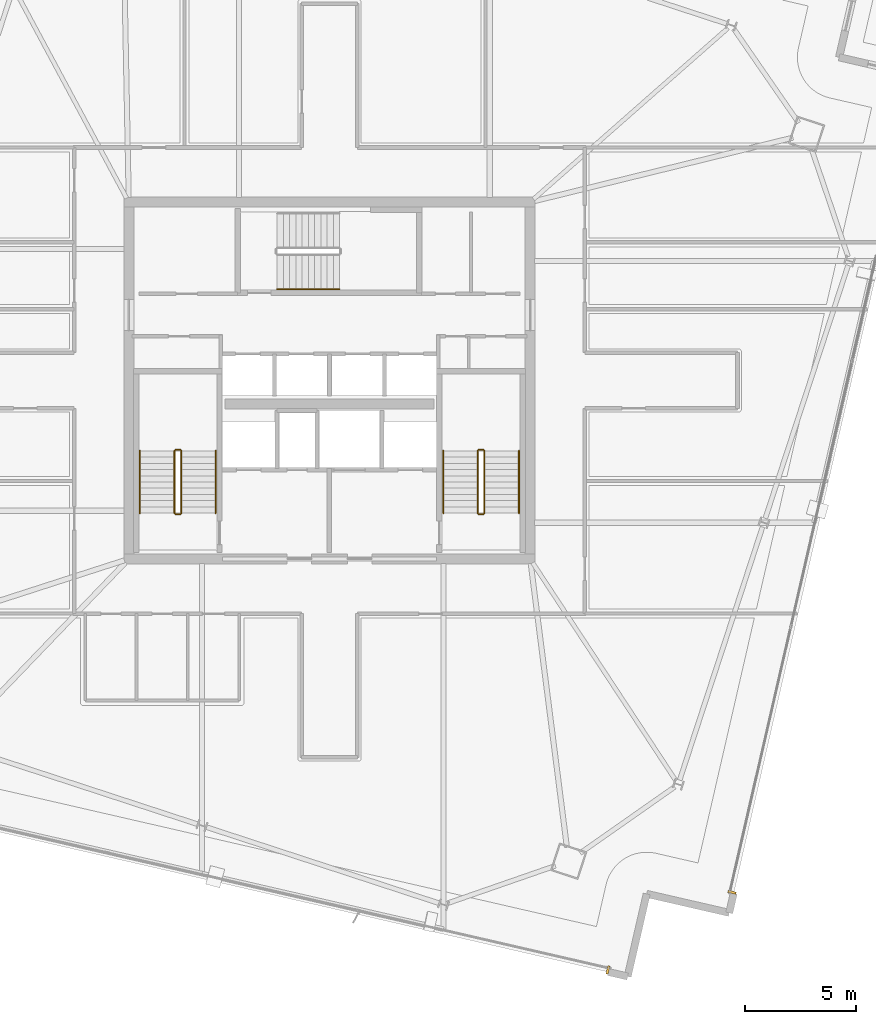
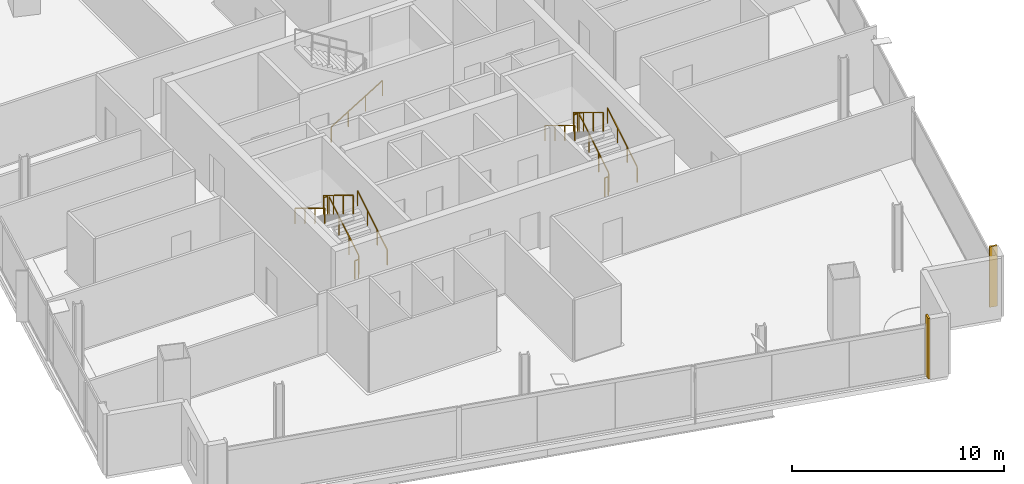
# One storey, part 25 of 28: 13 railings, 2 coverings.
"""IFC4 building model written with IfcOpenShell, lengths in metres."""

from ifc_helpers import new_model, si_unit, direction, frame, origin, origin_2d, place, context, subcontext, project, spatial, rectangle, extrude, source, transform, mapped, material, layer, layer_set, type_object, element, save


model = new_model("IFC4")

# Units and contexts
model_context = context("Model", 3, precision=1e-05, world=origin(), true_north=direction((0.0, 1.0)))
body_context = subcontext(model_context, "Body", "Model", "MODEL_VIEW")
ifc_project = project(units=[si_unit("LENGTHUNIT", "METRE"), si_unit("AREAUNIT", "SQUARE_METRE"), si_unit("VOLUMEUNIT", "CUBIC_METRE"), si_unit("PLANEANGLEUNIT", "RADIAN"), si_unit("MASSUNIT", "GRAM", prefix="KILO")], contexts=[model_context])

# Site, building, storey
site_placement = place(None, origin())
site = spatial("IfcSite", under=ifc_project, at=site_placement, CompositionType="ELEMENT")
building_placement = place(site_placement, origin())
building = spatial("IfcBuilding", under=site, at=building_placement, Name="Haldenkirk Collegiate Tower", CompositionType="ELEMENT")
storey_placement = place(building_placement, frame((0.0, 0.0, 286.199951171875)))
storey = spatial("IfcBuildingStorey", under=building, at=storey_placement, Name="L72", CompositionType="ELEMENT", Elevation=286.199951171875)

# Railings
ifc_material_1 = material(Name="Painted architectural tubular steel", Category="steel")
railing_type_1 = type_object("IfcRailingType", Name="RLG-STAIR-GUARD-1100", PredefinedType="BALUSTRADE", material=ifc_material_1)
railing_1_placement = place(storey_placement, frame((29.35009765625, 20.050048828125, 0.17041015625)))
element("IfcRailing", 1, at=railing_1_placement, inside=storey, type_object=railing_type_1, Name="L72 ST-1 stair guard 1", PredefinedType="BALUSTRADE", context=body_context, shape_type="SweptSolid", body=[
    extrude(rectangle(XDim=0.048095703125, YDim=0.048095703125, at=origin_2d()), frame((0.0, 0.0, 1.076171875), z_axis=(0.0, 0.854169791009, 0.51999420009), x_axis=(-1.0, 0.0, 0.0)), (0.0, 0.0, 1.0), 3.278076171875),
    extrude(rectangle(XDim=0.0419921875, YDim=0.0419921875, at=origin_2d()), origin(), (0.0, 0.0, 1.0), 1.052001953125),
    extrude(rectangle(XDim=0.0419921875, YDim=0.0419921875, at=origin_2d()), frame((0.0, 0.933349609375, 0.568115234375)), (0.0, 0.0, 1.0), 1.052001953125),
    extrude(rectangle(XDim=0.0419921875, YDim=0.0419921875, at=origin_2d()), frame((0.0, 1.86669921875, 1.136474609375)), (0.0, 0.0, 1.0), 1.052001953125),
    extrude(rectangle(XDim=0.0419921875, YDim=0.0419921875, at=origin_2d()), frame((0.0, 2.800048828125, 1.70458984375)), (0.0, 0.0, 1.0), 1.052001953125),
])
railing_2_placement = place(storey_placement, frame((29.300048828125, 22.89990234375, 1.875)))
element("IfcRailing", 2, at=railing_2_placement, inside=storey, type_object=railing_type_1, Name="L72 ST-1 stair guard 2", PredefinedType="BALUSTRADE", context=body_context, shape_type="SweptSolid", body=[
    extrude(rectangle(XDim=0.048095703125, YDim=0.048095703125, at=origin_2d()), frame((0.0, 0.0, 1.076171875), z_axis=(-1.0, 0.0, 0.0), x_axis=(0.0, -1.0, 0.0)), (0.0, 0.0, 1.0), 0.199951171875),
    extrude(rectangle(XDim=0.0419921875, YDim=0.0419921875, at=origin_2d()), origin(), (0.0, 0.0, 1.0), 1.052001953125),
    extrude(rectangle(XDim=0.0419921875, YDim=0.0419921875, at=origin_2d()), frame((-0.199951171875, 0.0, 0.0)), (0.0, 0.0, 1.0), 1.052001953125),
])
railing_3_placement = place(storey_placement, frame((29.050048828125, 22.85009765625, 2.04541015625)))
element("IfcRailing", 3, at=railing_3_placement, inside=storey, type_object=railing_type_1, Name="L72 ST-1 stair guard 3", PredefinedType="BALUSTRADE", context=body_context, shape_type="SweptSolid", body=[
    extrude(rectangle(XDim=0.048095703125, YDim=0.048095703125, at=origin_2d()), frame((0.0, 0.0, 1.076171875), z_axis=(0.0, -0.854169791009, 0.51999420009), x_axis=(1.0, 0.0, 0.0)), (0.0, 0.0, 1.0), 3.278076171875),
    extrude(rectangle(XDim=0.0419921875, YDim=0.0419921875, at=origin_2d()), origin(), (0.0, 0.0, 1.0), 1.052001953125),
    extrude(rectangle(XDim=0.0419921875, YDim=0.0419921875, at=origin_2d()), frame((0.0, -0.933349609375, 0.568115234375)), (0.0, 0.0, 1.0), 1.052001953125),
    extrude(rectangle(XDim=0.0419921875, YDim=0.0419921875, at=origin_2d()), frame((0.0, -1.86669921875, 1.136474609375)), (0.0, 0.0, 1.0), 1.052001953125),
    extrude(rectangle(XDim=0.0419921875, YDim=0.0419921875, at=origin_2d()), frame((0.0, -2.800048828125, 1.70458984375)), (0.0, 0.0, 1.0), 1.052001953125),
])
railing_4_placement = place(storey_placement, frame((29.300048828125, 20.0, 0.0)))
element("IfcRailing", 4, at=railing_4_placement, inside=storey, type_object=railing_type_1, Name="L72 ST-1 stair guard 4", PredefinedType="BALUSTRADE", context=body_context, shape_type="SweptSolid", body=[
    extrude(rectangle(XDim=0.048095703125, YDim=0.048095703125, at=origin_2d()), frame((0.0, 0.0, 1.076171875), z_axis=(-1.0, 0.0, 0.0), x_axis=(0.0, -1.0, 0.0)), (0.0, 0.0, 1.0), 0.199951171875),
    extrude(rectangle(XDim=0.0419921875, YDim=0.0419921875, at=origin_2d()), origin(), (0.0, 0.0, 1.0), 1.052001953125),
    extrude(rectangle(XDim=0.0419921875, YDim=0.0419921875, at=origin_2d()), frame((-0.199951171875, 0.0, 0.0)), (0.0, 0.0, 1.0), 1.052001953125),
])
railing_5_placement = place(storey_placement, frame((42.949951171875, 20.050048828125, 0.17041015625)))
element("IfcRailing", 5, at=railing_5_placement, inside=storey, type_object=railing_type_1, Name="L72 ST-2 stair guard 1", PredefinedType="BALUSTRADE", context=body_context, shape_type="SweptSolid", body=[
    extrude(rectangle(XDim=0.048095703125, YDim=0.048095703125, at=origin_2d()), frame((0.0, 0.0, 1.076171875), z_axis=(0.0, 0.854169791009, 0.51999420009), x_axis=(-1.0, 0.0, 0.0)), (0.0, 0.0, 1.0), 3.278076171875),
    extrude(rectangle(XDim=0.0419921875, YDim=0.0419921875, at=origin_2d()), origin(), (0.0, 0.0, 1.0), 1.052001953125),
    extrude(rectangle(XDim=0.0419921875, YDim=0.0419921875, at=origin_2d()), frame((0.0, 0.933349609375, 0.568115234375)), (0.0, 0.0, 1.0), 1.052001953125),
    extrude(rectangle(XDim=0.0419921875, YDim=0.0419921875, at=origin_2d()), frame((0.0, 1.86669921875, 1.136474609375)), (0.0, 0.0, 1.0), 1.052001953125),
    extrude(rectangle(XDim=0.0419921875, YDim=0.0419921875, at=origin_2d()), frame((0.0, 2.800048828125, 1.70458984375)), (0.0, 0.0, 1.0), 1.052001953125),
])
railing_6_placement = place(storey_placement, frame((42.89990234375, 22.89990234375, 1.875)))
element("IfcRailing", 6, at=railing_6_placement, inside=storey, type_object=railing_type_1, Name="L72 ST-2 stair guard 2", PredefinedType="BALUSTRADE", context=body_context, shape_type="SweptSolid", body=[
    extrude(rectangle(XDim=0.048095703125, YDim=0.048095703125, at=origin_2d()), frame((0.0, 0.0, 1.076171875), z_axis=(-1.0, 0.0, 0.0), x_axis=(0.0, -1.0, 0.0)), (0.0, 0.0, 1.0), 0.199951171875),
    extrude(rectangle(XDim=0.0419921875, YDim=0.0419921875, at=origin_2d()), origin(), (0.0, 0.0, 1.0), 1.052001953125),
    extrude(rectangle(XDim=0.0419921875, YDim=0.0419921875, at=origin_2d()), frame((-0.199951171875, 0.0, 0.0)), (0.0, 0.0, 1.0), 1.052001953125),
])
railing_7_placement = place(storey_placement, frame((42.64990234375, 22.85009765625, 2.04541015625)))
element("IfcRailing", 7, at=railing_7_placement, inside=storey, type_object=railing_type_1, Name="L72 ST-2 stair guard 3", PredefinedType="BALUSTRADE", context=body_context, shape_type="SweptSolid", body=[
    extrude(rectangle(XDim=0.048095703125, YDim=0.048095703125, at=origin_2d()), frame((0.0, 0.0, 1.076171875), z_axis=(0.0, -0.854169791009, 0.51999420009), x_axis=(1.0, 0.0, 0.0)), (0.0, 0.0, 1.0), 3.278076171875),
    extrude(rectangle(XDim=0.0419921875, YDim=0.0419921875, at=origin_2d()), origin(), (0.0, 0.0, 1.0), 1.052001953125),
    extrude(rectangle(XDim=0.0419921875, YDim=0.0419921875, at=origin_2d()), frame((0.0, -0.933349609375, 0.568115234375)), (0.0, 0.0, 1.0), 1.052001953125),
    extrude(rectangle(XDim=0.0419921875, YDim=0.0419921875, at=origin_2d()), frame((0.0, -1.86669921875, 1.136474609375)), (0.0, 0.0, 1.0), 1.052001953125),
    extrude(rectangle(XDim=0.0419921875, YDim=0.0419921875, at=origin_2d()), frame((0.0, -2.800048828125, 1.70458984375)), (0.0, 0.0, 1.0), 1.052001953125),
])
railing_8_placement = place(storey_placement, frame((42.89990234375, 20.0, 0.0)))
element("IfcRailing", 8, at=railing_8_placement, inside=storey, type_object=railing_type_1, Name="L72 ST-2 stair guard 4", PredefinedType="BALUSTRADE", context=body_context, shape_type="SweptSolid", body=[
    extrude(rectangle(XDim=0.048095703125, YDim=0.048095703125, at=origin_2d()), frame((0.0, 0.0, 1.076171875), z_axis=(-1.0, 0.0, 0.0), x_axis=(0.0, -1.0, 0.0)), (0.0, 0.0, 1.0), 0.199951171875),
    extrude(rectangle(XDim=0.0419921875, YDim=0.0419921875, at=origin_2d()), origin(), (0.0, 0.0, 1.0), 1.052001953125),
    extrude(rectangle(XDim=0.0419921875, YDim=0.0419921875, at=origin_2d()), frame((-0.199951171875, 0.0, 0.0)), (0.0, 0.0, 1.0), 1.052001953125),
])
railing_type_2 = type_object("IfcRailingType", Name="RLG-STAIR-HANDRAIL-900", PredefinedType="HANDRAIL", material=ifc_material_1)
railing_9_placement = place(storey_placement, frame((30.89990234375, 20.050048828125, 0.17041015625)))
element("IfcRailing", 9, at=railing_9_placement, inside=storey, type_object=railing_type_2, Name="L72 ST-1 stair handrail 1", PredefinedType="HANDRAIL", context=body_context, shape_type="SweptSolid", body=[
    extrude(rectangle(XDim=0.048095703125, YDim=0.048095703125, at=origin_2d()), frame((0.0, 0.0, 0.8759765625), z_axis=(0.0, 0.854169791009, 0.51999420009), x_axis=(-1.0, 0.0, 0.0)), (0.0, 0.0, 1.0), 3.278076171875),
    extrude(rectangle(XDim=0.0419921875, YDim=0.0419921875, at=origin_2d()), origin(), (0.0, 0.0, 1.0), 0.851806640625),
    extrude(rectangle(XDim=0.0419921875, YDim=0.0419921875, at=origin_2d()), frame((0.0, 0.933349609375, 0.568115234375)), (0.0, 0.0, 1.0), 0.851806640625),
    extrude(rectangle(XDim=0.0419921875, YDim=0.0419921875, at=origin_2d()), frame((0.0, 1.86669921875, 1.136474609375)), (0.0, 0.0, 1.0), 0.851806640625),
    extrude(rectangle(XDim=0.0419921875, YDim=0.0419921875, at=origin_2d()), frame((0.0, 2.800048828125, 1.70458984375)), (0.0, 0.0, 1.0), 0.851806640625),
])
railing_10_placement = place(storey_placement, frame((27.5, 22.85009765625, 2.04541015625)))
element("IfcRailing", 10, at=railing_10_placement, inside=storey, type_object=railing_type_2, Name="L72 ST-1 stair handrail 2", PredefinedType="HANDRAIL", context=body_context, shape_type="SweptSolid", body=[
    extrude(rectangle(XDim=0.048095703125, YDim=0.048095703125, at=origin_2d()), frame((0.0, 0.0, 0.8759765625), z_axis=(0.0, -0.854169791009, 0.51999420009), x_axis=(1.0, 0.0, 0.0)), (0.0, 0.0, 1.0), 3.278076171875),
    extrude(rectangle(XDim=0.0419921875, YDim=0.0419921875, at=origin_2d()), origin(), (0.0, 0.0, 1.0), 0.851806640625),
    extrude(rectangle(XDim=0.0419921875, YDim=0.0419921875, at=origin_2d()), frame((0.0, -0.933349609375, 0.568115234375)), (0.0, 0.0, 1.0), 0.851806640625),
    extrude(rectangle(XDim=0.0419921875, YDim=0.0419921875, at=origin_2d()), frame((0.0, -1.86669921875, 1.136474609375)), (0.0, 0.0, 1.0), 0.851806640625),
    extrude(rectangle(XDim=0.0419921875, YDim=0.0419921875, at=origin_2d()), frame((0.0, -2.800048828125, 1.70458984375)), (0.0, 0.0, 1.0), 0.851806640625),
])
railing_11_placement = place(storey_placement, frame((44.5, 20.050048828125, 0.17041015625)))
element("IfcRailing", 11, at=railing_11_placement, inside=storey, type_object=railing_type_2, Name="L72 ST-2 stair handrail 1", PredefinedType="HANDRAIL", context=body_context, shape_type="SweptSolid", body=[
    extrude(rectangle(XDim=0.048095703125, YDim=0.048095703125, at=origin_2d()), frame((0.0, 0.0, 0.8759765625), z_axis=(0.0, 0.854169791009, 0.51999420009), x_axis=(-1.0, 0.0, 0.0)), (0.0, 0.0, 1.0), 3.278076171875),
    extrude(rectangle(XDim=0.0419921875, YDim=0.0419921875, at=origin_2d()), origin(), (0.0, 0.0, 1.0), 0.851806640625),
    extrude(rectangle(XDim=0.0419921875, YDim=0.0419921875, at=origin_2d()), frame((0.0, 0.933349609375, 0.568115234375)), (0.0, 0.0, 1.0), 0.851806640625),
    extrude(rectangle(XDim=0.0419921875, YDim=0.0419921875, at=origin_2d()), frame((0.0, 1.86669921875, 1.136474609375)), (0.0, 0.0, 1.0), 0.851806640625),
    extrude(rectangle(XDim=0.0419921875, YDim=0.0419921875, at=origin_2d()), frame((0.0, 2.800048828125, 1.70458984375)), (0.0, 0.0, 1.0), 0.851806640625),
])
railing_12_placement = place(storey_placement, frame((41.10009765625, 22.85009765625, 2.04541015625)))
element("IfcRailing", 12, at=railing_12_placement, inside=storey, type_object=railing_type_2, Name="L72 ST-2 stair handrail 2", PredefinedType="HANDRAIL", context=body_context, shape_type="SweptSolid", body=[
    extrude(rectangle(XDim=0.048095703125, YDim=0.048095703125, at=origin_2d()), frame((0.0, 0.0, 0.8759765625), z_axis=(0.0, -0.854169791009, 0.51999420009), x_axis=(1.0, 0.0, 0.0)), (0.0, 0.0, 1.0), 3.278076171875),
    extrude(rectangle(XDim=0.0419921875, YDim=0.0419921875, at=origin_2d()), origin(), (0.0, 0.0, 1.0), 0.851806640625),
    extrude(rectangle(XDim=0.0419921875, YDim=0.0419921875, at=origin_2d()), frame((0.0, -0.933349609375, 0.568115234375)), (0.0, 0.0, 1.0), 0.851806640625),
    extrude(rectangle(XDim=0.0419921875, YDim=0.0419921875, at=origin_2d()), frame((0.0, -1.86669921875, 1.136474609375)), (0.0, 0.0, 1.0), 0.851806640625),
    extrude(rectangle(XDim=0.0419921875, YDim=0.0419921875, at=origin_2d()), frame((0.0, -2.800048828125, 1.70458984375)), (0.0, 0.0, 1.0), 0.851806640625),
])
railing_13_placement = place(storey_placement, frame((33.64990234375, 30.10009765625, 0.17041015625)))
element("IfcRailing", 13, at=railing_13_placement, inside=storey, type_object=railing_type_2, Name="L72 ST-3 stair handrail 1", PredefinedType="HANDRAIL", context=body_context, shape_type="SweptSolid", body=[
    extrude(rectangle(XDim=0.048095703125, YDim=0.048095703125, at=origin_2d()), frame((0.0, 0.0, 0.8759765625), z_axis=(0.854169791009, 0.0, 0.51999420009), x_axis=(0.0, 1.0, 0.0)), (0.0, 0.0, 1.0), 3.278076171875),
    extrude(rectangle(XDim=0.0419921875, YDim=0.0419921875, at=origin_2d()), origin(), (0.0, 0.0, 1.0), 0.851806640625),
    extrude(rectangle(XDim=0.0419921875, YDim=0.0419921875, at=origin_2d()), frame((0.933349609375, 0.0, 0.568115234375)), (0.0, 0.0, 1.0), 0.851806640625),
    extrude(rectangle(XDim=0.0419921875, YDim=0.0419921875, at=origin_2d()), frame((1.86669921875, 0.0, 1.136474609375)), (0.0, 0.0, 1.0), 0.851806640625),
    extrude(rectangle(XDim=0.0419921875, YDim=0.0419921875, at=origin_2d()), frame((2.800048828125, 0.0, 1.70458984375)), (0.0, 0.0, 1.0), 0.851806640625),
])

# Coverings
ifc_material_2 = material(Name="Anodised architectural bronze aluminium", Category="aluminium")
ifc_layer = layer(ifc_material_2, 0.06005859375)
ifc_layer_set = layer_set([ifc_layer], Name="Anodised architectural bronze aluminium")
covering_type = type_object("IfcCoveringType", Name="COV-CLAD-BRONZE-60", PredefinedType="CLADDING", material=ifc_layer_set)
shared_shape = source(origin(), body_context, "Body", "SweptSolid", [
    extrude(rectangle(XDim=0.10009765625, YDim=0.3798828125, at=origin_2d()), origin(), (0.0, 0.0, 1.0), 3.47998046875),
])
for number, where, z_axis, x_axis, name in (
    (14, (54.05126953125, 3.051025390625, 0.0), (0.0, 0.0, 1.0), (-0.224100670509, -0.974566000575, 0.0), "L72 recessed curtain-wall bronze jamb closure SJR"),
    (15, (48.489501953125, -0.43115234375, 0.0), (0.0, 0.0, 1.0), (-0.974566000575, 0.224100670509, 0.0), "L72 recessed curtain-wall bronze jamb closure WJL"),
):
    element("IfcCovering", number, at=place(storey_placement, frame(where, z_axis=z_axis, x_axis=x_axis)), inside=storey, type_object=covering_type, Name=name, PredefinedType="CLADDING", context=body_context, shape_type="MappedRepresentation", body=[
        mapped(shared_shape, transform((0.0, 0.0, 0.0), x_axis=(1.0, 0.0, 0.0), y_axis=(0.0, 1.0, 0.0), z_axis=(0.0, 0.0, 1.0), scale=1.0)),
    ])

save(model, "model.ifc")
